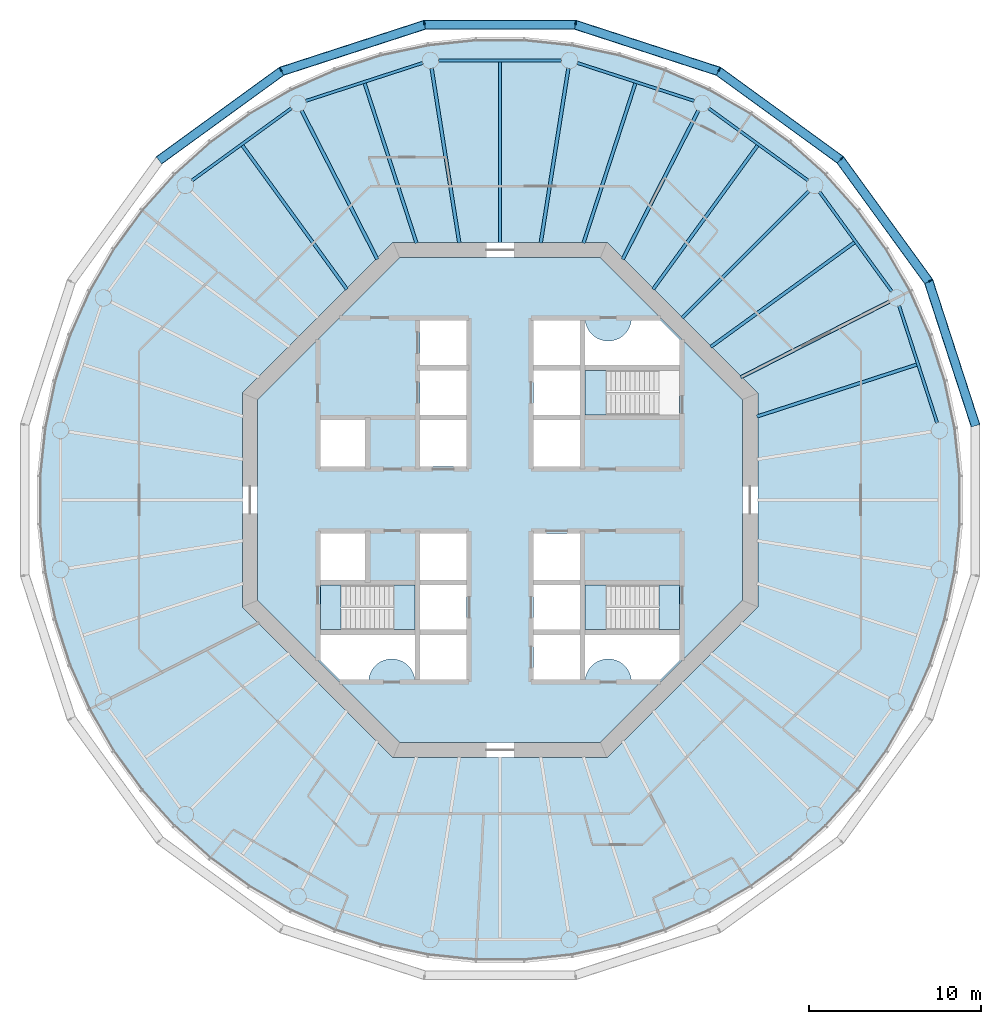
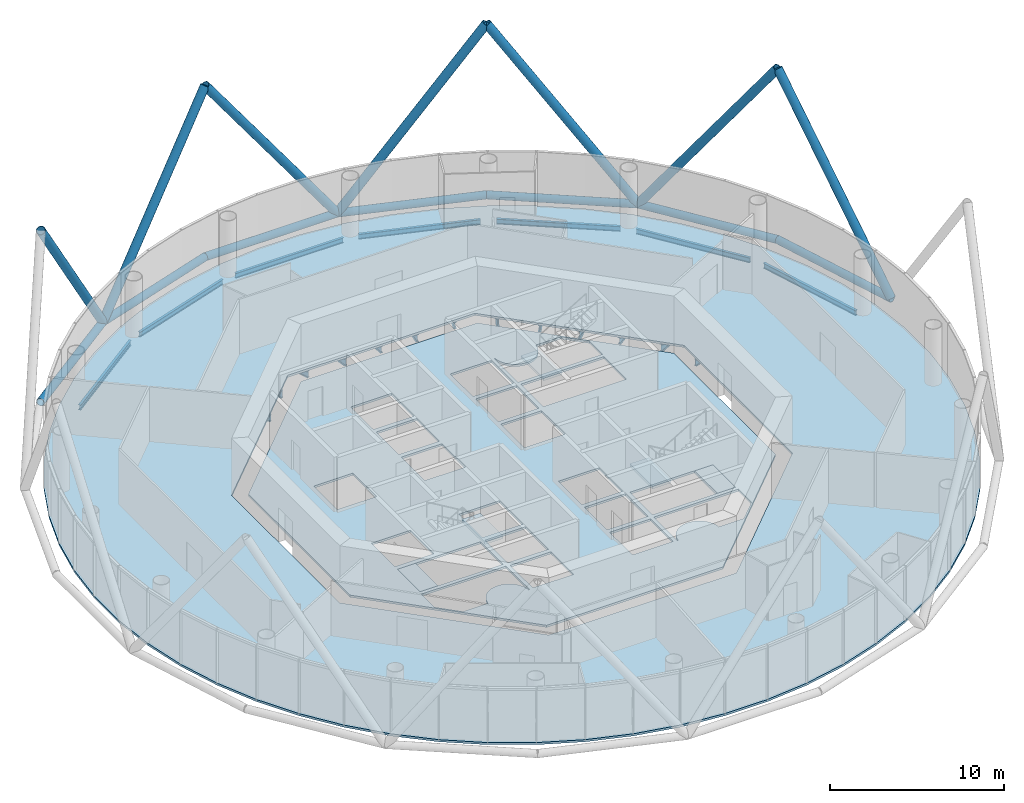
# One storey, part 2 of 13: 20 beams, 14 members, 7 slabs, 3 elements without a shape of their own.
"""IFC4 building model written with IfcOpenShell, lengths in metres."""

from ifc_helpers import new_model, si_unit, direction, frame, origin, origin_2d, place, context, subcontext, project, spatial, polyline, circle, hollow_circle, i_section, outline, extrude, material, layer, layer_set, material_profile, profile_set, type_object, element, aggregate, save


model = new_model("IFC4")

# Units and contexts
model_context = context("Model", 3, precision=1e-05, world=origin(), true_north=direction((0.0, 1.0)))
body_context = subcontext(model_context, "Body", "Model", "MODEL_VIEW")
ifc_project = project(units=[si_unit("LENGTHUNIT", "METRE"), si_unit("AREAUNIT", "SQUARE_METRE"), si_unit("VOLUMEUNIT", "CUBIC_METRE"), si_unit("PLANEANGLEUNIT", "RADIAN"), si_unit("MASSUNIT", "GRAM", prefix="KILO")], contexts=[model_context])

# Site, building, storey
site_placement = place(None, origin())
site = spatial("IfcSite", under=ifc_project, at=site_placement, CompositionType="ELEMENT")
building_placement = place(site_placement, origin())
building = spatial("IfcBuilding", under=site, at=building_placement, Name="Entoto Ring Tower", CompositionType="ELEMENT")
storey_placement = place(building_placement, frame((0.0, 0.0, 250.0)))
storey = spatial("IfcBuildingStorey", under=building, at=storey_placement, Name="L57", CompositionType="ELEMENT", Elevation=250.0)

# Members
ifc_material_1 = material(Name="Steel S355", Category="steel")
ifc_material_profile_1 = material_profile(ifc_material_1, hollow_circle(Radius=0.279541015625, WallThickness=0.028076171875, at=origin_2d()), Name="CHS 559 x 28")
ifc_material_2 = material(Name="Concrete C60/75", Category="concrete")
ifc_material_profile_2 = material_profile(ifc_material_2, circle(Radius=0.25146484375, at=origin_2d()), Name="Concrete C60/75 infill")
ifc_profile_set_1 = profile_set([ifc_material_profile_1, ifc_material_profile_2], Name="Steel S355")
member_type_1 = type_object("IfcMemberType", Name="Diagrid diagonal 559 x 28 concrete-filled tube", PredefinedType="BRACE", material=ifc_profile_set_1)
for number, where, z_axis, x_axis, name in (
    (1, (117.6552734375, 84.380126953125, 0.0), (-0.182200752594, 0.56076685453, 0.807677795049), (-0.95105823263, -0.309011711991, 0.0), "DG5A module 19 02"),
    (2, (109.799072265625, 99.799072265625, 0.0), (0.346570479178, -0.477025319356, 0.807673045022), (0.809024012567, 0.587775592458, 0.0), "DG5A module 19 03"),
    (3, (109.799072265625, 99.799072265625, 0.0), (-0.477025319356, 0.346570479178, 0.807673045022), (-0.587775592458, -0.809024012567, 0.0), "DG5A module 19 04"),
    (4, (94.380126953125, 107.6552734375, 0.0), (0.56076685453, -0.182200752594, 0.807677795049), (0.309011711991, 0.95105823263, 0.0), "DG5A module 19 05"),
    (5, (94.380126953125, 107.6552734375, 0.0), (-0.589622651769, 0.0, 0.807678852342), (0.0, -1.0, 0.0), "DG5A module 19 06"),
    (6, (77.288330078125, 104.9482421875, 0.0), (0.56076685453, 0.182200752594, 0.807677795049), (-0.309011711991, 0.95105823263, 0.0), "DG5A module 19 07"),
    (7, (77.288330078125, 104.9482421875, 0.0), (-0.477025319356, -0.346570479178, 0.807673045022), (0.587775592458, -0.809024012567, 0.0), "DG5A module 19 08"),
):
    element("IfcMember", number, at=place(storey_placement, frame(where, z_axis=z_axis, x_axis=x_axis)), inside=storey, type_object=member_type_1, Name=name, PredefinedType="BRACE", context=body_context, shape_type="SweptSolid", body=[
        extrude(hollow_circle(Radius=0.279541015625, WallThickness=0.028076171875, at=origin_2d()), origin(), (0.0, 0.0, 1.0), 14.857421875),
    ])
ifc_material_3 = material(Name="Steel S355", Category="steel")
ifc_material_profile_3 = material_profile(ifc_material_3, hollow_circle(Radius=0.25390625, WallThickness=0.030029296875, at=origin_2d()), Name="CHS 508 x 30")
ifc_material_4 = material(Name="Concrete C60/75", Category="concrete")
ifc_material_profile_4 = material_profile(ifc_material_4, circle(Radius=0.22412109375, at=origin_2d()), Name="Concrete C60/75 infill")
ifc_profile_set_2 = profile_set([ifc_material_profile_3, ifc_material_profile_4], Name="Steel S355")
member_type_2 = type_object("IfcMemberType", Name="Diagrid ring beam 508 x 30", PredefinedType="CHORD", material=ifc_profile_set_2)
for number, where, z_axis, x_axis, name in (
    (8, (117.673828125, 84.322998046875, 0.0), (-0.309002151976, 0.951061338755, 0.0), (-0.951061338755, -0.309002151976, 0.0), "DR2 ring 18 01"),
    (9, (114.983642578125, 92.6630859375, 0.0), (-0.587790766961, 0.809012987705, 0.0), (-0.809012987705, -0.587790766961, 0.0), "DR2 ring 18 02"),
    (10, (109.84765625, 99.763671875, 0.0), (-0.809012987705, 0.587790766961, 0.0), (-0.587790766961, -0.809012987705, 0.0), "DR2 ring 18 03"),
    (11, (102.76904296875, 104.9296875, 0.0), (-0.951061338755, 0.309002151976, 0.0), (-0.309002151976, -0.951061338755, 0.0), "DR2 ring 18 04"),
):
    element("IfcMember", number, at=place(storey_placement, frame(where, z_axis=z_axis, x_axis=x_axis)), inside=storey, type_object=member_type_2, Name=name, PredefinedType="CHORD", context=body_context, shape_type="SweptSolid", body=[
        extrude(hollow_circle(Radius=0.25390625, WallThickness=0.030029296875, at=origin_2d()), origin(), (0.0, 0.0, 1.0), 8.880615234375),
    ])
member_placement = place(storey_placement, frame((94.4404296875, 107.6552734375, 0.0), z_axis=(-1.0, 0.0, 0.0), x_axis=(0.0, -1.0, 0.0)))
element("IfcMember", 12, at=member_placement, inside=storey, type_object=member_type_2, Name="DR2 ring 18 05", PredefinedType="CHORD", context=body_context, shape_type="SweptSolid", body=[
    extrude(hollow_circle(Radius=0.25390625, WallThickness=0.030029296875, at=origin_2d()), origin(), (0.0, 0.0, 1.0), 8.880859375),
])
for number, where, z_axis, x_axis, name in (
    (13, (85.677001953125, 107.673828125, 0.0), (-0.951061338755, -0.309002151976, 0.0), (0.309002151976, -0.951061338755, 0.0), "DR2 ring 18 06"),
    (14, (77.3369140625, 104.983642578125, 0.0), (-0.809012987705, -0.587790766961, 0.0), (0.587790766961, -0.809012987705, 0.0), "DR2 ring 18 07"),
):
    element("IfcMember", number, at=place(storey_placement, frame(where, z_axis=z_axis, x_axis=x_axis)), inside=storey, type_object=member_type_2, Name=name, PredefinedType="CHORD", context=body_context, shape_type="SweptSolid", body=[
        extrude(hollow_circle(Radius=0.25390625, WallThickness=0.030029296875, at=origin_2d()), origin(), (0.0, 0.0, 1.0), 8.880615234375),
    ])

# Beams
ifc_material_5 = material(Name="Steel S355", Category="steel")
ifc_material_profile_5 = material_profile(ifc_material_5, i_section(OverallWidth=0.169921875, OverallDepth=0.360107421875, WebThickness=0.008056640625, FlangeThickness=0.0126953125, FilletRadius=0.01806640625, at=origin_2d()), Name="IPE 360")
ifc_profile_set_3 = profile_set([ifc_material_profile_5], Name="Steel S355")
beam_type_1 = type_object("IfcBeamType", Name="Edge beam IPE 360", PredefinedType="SPANDREL", material=ifc_profile_set_3)
beam_1_placement = place(storey_placement, frame((115.43505859375, 84.501220703125, -0.330078125), z_axis=(-0.309015118354, 0.951057125849, 0.0), x_axis=(-0.951057125849, -0.309015118354, 0.0)))
element("IfcBeam", 15, at=beam_1_placement, inside=storey, type_object=beam_type_1, Name="Edge beam L57 01", PredefinedType="SPANDREL", context=body_context, shape_type="SweptSolid", body=[
    extrude(i_section(OverallWidth=0.169921875, OverallDepth=0.360107421875, WebThickness=0.008056640625, FlangeThickness=0.0126953125, FilletRadius=0.01806640625, at=origin_2d()), origin(), (0.0, 0.0, 1.0), 7.157958984375),
])
for number, where, z_axis, x_axis, name in (
    (16, (112.79931640625, 92.140625, -0.330078125), (-0.587794432314, 0.809010324619, 0.0), (-0.809010324619, -0.587794432314, 0.0), "Edge beam L57 02"),
    (17, (107.931640625, 98.591796875, -0.330078125), (-0.809010324619, 0.587794432314, 0.0), (-0.587794432314, -0.809010324619, 0.0), "Edge beam L57 03"),
):
    element("IfcBeam", number, at=place(storey_placement, frame(where, z_axis=z_axis, x_axis=x_axis)), inside=storey, type_object=beam_type_1, Name=name, PredefinedType="SPANDREL", context=body_context, shape_type="SweptSolid", body=[
        extrude(i_section(OverallWidth=0.169921875, OverallDepth=0.360107421875, WebThickness=0.008056640625, FlangeThickness=0.0126953125, FilletRadius=0.01806640625, at=origin_2d()), origin(), (0.0, 0.0, 1.0), 7.158203125),
    ])
beam_2_placement = place(storey_placement, frame((101.308837890625, 103.22314453125, -0.330078125), z_axis=(-0.951057125849, 0.309015118354, 0.0), x_axis=(-0.309015118354, -0.951057125849, 0.0)))
element("IfcBeam", 18, at=beam_2_placement, inside=storey, type_object=beam_type_1, Name="Edge beam L57 04", PredefinedType="SPANDREL", context=body_context, shape_type="SweptSolid", body=[
    extrude(i_section(OverallWidth=0.169921875, OverallDepth=0.360107421875, WebThickness=0.008056640625, FlangeThickness=0.0126953125, FilletRadius=0.01806640625, at=origin_2d()), origin(), (0.0, 0.0, 1.0), 7.157958984375),
])
beam_3_placement = place(storey_placement, frame((93.5791015625, 105.5810546875, -0.330078125), z_axis=(-1.0, 0.0, 0.0), x_axis=(0.0, -1.0, 0.0)))
element("IfcBeam", 19, at=beam_3_placement, inside=storey, type_object=beam_type_1, Name="Edge beam L57 05", PredefinedType="SPANDREL", context=body_context, shape_type="SweptSolid", body=[
    extrude(i_section(OverallWidth=0.169921875, OverallDepth=0.360107421875, WebThickness=0.008056640625, FlangeThickness=0.0126953125, FilletRadius=0.01806640625, at=origin_2d()), origin(), (0.0, 0.0, 1.0), 7.158203125),
])
beam_4_placement = place(storey_placement, frame((85.498779296875, 105.43505859375, -0.330078125), z_axis=(-0.951057125849, -0.309015118354, 0.0), x_axis=(0.309015118354, -0.951057125849, 0.0)))
element("IfcBeam", 20, at=beam_4_placement, inside=storey, type_object=beam_type_1, Name="Edge beam L57 06", PredefinedType="SPANDREL", context=body_context, shape_type="SweptSolid", body=[
    extrude(i_section(OverallWidth=0.169921875, OverallDepth=0.360107421875, WebThickness=0.008056640625, FlangeThickness=0.0126953125, FilletRadius=0.01806640625, at=origin_2d()), origin(), (0.0, 0.0, 1.0), 7.157958984375),
])
beam_5_placement = place(storey_placement, frame((77.859375, 102.79931640625, -0.330078125), z_axis=(-0.809010324619, -0.587794432314, 0.0), x_axis=(0.587794432314, -0.809010324619, 0.0)))
element("IfcBeam", 21, at=beam_5_placement, inside=storey, type_object=beam_type_1, Name="Edge beam L57 07", PredefinedType="SPANDREL", context=body_context, shape_type="SweptSolid", body=[
    extrude(i_section(OverallWidth=0.169921875, OverallDepth=0.360107421875, WebThickness=0.008056640625, FlangeThickness=0.0126953125, FilletRadius=0.01806640625, at=origin_2d()), origin(), (0.0, 0.0, 1.0), 7.158203125),
])
ifc_material_6 = material(Name="Steel S355", Category="steel")
ifc_material_profile_6 = material_profile(ifc_material_6, i_section(OverallWidth=0.199951171875, OverallDepth=0.5, WebThickness=0.01025390625, FlangeThickness=0.01611328125, FilletRadius=0.02099609375, at=origin_2d()), Name="IPE 500")
ifc_profile_set_4 = profile_set([ifc_material_profile_6], Name="Steel S355")
beam_type_2 = type_object("IfcBeamType", Name="Primary floor beam IPE 500", PredefinedType="BEAM", material=ifc_profile_set_4)
beam_6_placement = place(storey_placement, frame((104.006103515625, 87.136474609375, -0.39990234375), z_axis=(0.891012442297, 0.45397888461, 0.0), x_axis=(-0.45397888461, 0.891012442297, 0.0)))
element("IfcBeam", 22, at=beam_6_placement, inside=storey, type_object=beam_type_2, Name="Primary L57 R02", PredefinedType="BEAM", context=body_context, shape_type="SweptSolid", body=[
    extrude(i_section(OverallWidth=0.199951171875, OverallDepth=0.5, WebThickness=0.01025390625, FlangeThickness=0.01611328125, FilletRadius=0.02099609375, at=origin_2d()), origin(), (0.0, 0.0, 1.0), 9.710693359375),
])
beam_7_placement = place(storey_placement, frame((100.592529296875, 90.592529296875, -0.39990234375), z_axis=(0.707106781187, 0.707106781187, 0.0), x_axis=(-0.707106781187, 0.707106781187, 0.0)))
element("IfcBeam", 23, at=beam_7_placement, inside=storey, type_object=beam_type_2, Name="Primary L57 R03", PredefinedType="BEAM", context=body_context, shape_type="SweptSolid", body=[
    extrude(i_section(OverallWidth=0.199951171875, OverallDepth=0.5, WebThickness=0.01025390625, FlangeThickness=0.01611328125, FilletRadius=0.02099609375, at=origin_2d()), origin(), (0.0, 0.0, 1.0), 10.4501953125),
])
beam_8_placement = place(storey_placement, frame((97.136474609375, 94.006103515625, -0.39990234375), z_axis=(0.45397888461, 0.891012442297, 0.0), x_axis=(-0.891012442297, 0.45397888461, 0.0)))
element("IfcBeam", 24, at=beam_8_placement, inside=storey, type_object=beam_type_2, Name="Primary L57 R04", PredefinedType="BEAM", context=body_context, shape_type="SweptSolid", body=[
    extrude(i_section(OverallWidth=0.199951171875, OverallDepth=0.5, WebThickness=0.01025390625, FlangeThickness=0.01611328125, FilletRadius=0.02099609375, at=origin_2d()), origin(), (0.0, 0.0, 1.0), 9.710693359375),
])
for number, where, z_axis, x_axis, name in (
    (25, (92.3701171875, 94.964599609375, -0.39990234375), (0.156451644281, 0.987685619518, 0.0), (-0.987685619518, 0.156451644281, 0.0), "Primary L57 R05"),
    (26, (87.6298828125, 94.964599609375, -0.39990234375), (-0.156451644281, 0.987685619518, 0.0), (-0.987685619518, -0.156451644281, 0.0), "Primary L57 R06"),
):
    element("IfcBeam", number, at=place(storey_placement, frame(where, z_axis=z_axis, x_axis=x_axis)), inside=storey, type_object=beam_type_2, Name=name, PredefinedType="BEAM", context=body_context, shape_type="SweptSolid", body=[
        extrude(i_section(OverallWidth=0.199951171875, OverallDepth=0.5, WebThickness=0.01025390625, FlangeThickness=0.01611328125, FilletRadius=0.02099609375, at=origin_2d()), origin(), (0.0, 0.0, 1.0), 10.27880859375),
    ])
beam_9_placement = place(storey_placement, frame((82.863525390625, 94.006103515625, -0.39990234375), z_axis=(-0.45397888461, 0.891012442297, 0.0), x_axis=(-0.891012442297, -0.45397888461, 0.0)))
element("IfcBeam", 27, at=beam_9_placement, inside=storey, type_object=beam_type_2, Name="Primary L57 R07", PredefinedType="BEAM", context=body_context, shape_type="SweptSolid", body=[
    extrude(i_section(OverallWidth=0.199951171875, OverallDepth=0.5, WebThickness=0.01025390625, FlangeThickness=0.01611328125, FilletRadius=0.02099609375, at=origin_2d()), origin(), (0.0, 0.0, 1.0), 9.710693359375),
])
ifc_material_7 = material(Name="Steel S355", Category="steel")
ifc_material_profile_7 = material_profile(ifc_material_7, i_section(OverallWidth=0.18994140625, OverallDepth=0.449951171875, WebThickness=0.009521484375, FlangeThickness=0.0146484375, FilletRadius=0.02099609375, at=origin_2d()), Name="IPE 450")
ifc_profile_set_5 = profile_set([ifc_material_profile_7], Name="Steel S355")
beam_type_3 = type_object("IfcBeamType", Name="Secondary floor beam IPE 450", PredefinedType="JOIST", material=ifc_profile_set_5)
beam_10_placement = place(storey_placement, frame((104.95166015625, 84.858154296875, -0.375), z_axis=(0.951061045963, 0.309003053144, 0.0), x_axis=(-0.309003053144, 0.951061045963, 0.0)))
element("IfcBeam", 28, at=beam_10_placement, inside=storey, type_object=beam_type_3, Name="Secondary beam L57 01", PredefinedType="JOIST", context=body_context, shape_type="SweptSolid", body=[
    extrude(i_section(OverallWidth=0.18994140625, OverallDepth=0.449951171875, WebThickness=0.009521484375, FlangeThickness=0.0146484375, FilletRadius=0.02099609375, at=origin_2d()), origin(), (0.0, 0.0, 1.0), 9.77490234375),
])
for number, where, z_axis, x_axis, name in (
    (29, (102.258056640625, 88.906005859375, -0.375), (0.809010538485, 0.58779413796, 0.0), (-0.58779413796, 0.809010538485, 0.0), "Secondary beam L57 02"),
    (30, (98.906005859375, 92.258056640625, -0.375), (0.58779413796, 0.809010538485, 0.0), (-0.809010538485, 0.58779413796, 0.0), "Secondary beam L57 03"),
):
    element("IfcBeam", number, at=place(storey_placement, frame(where, z_axis=z_axis, x_axis=x_axis)), inside=storey, type_object=beam_type_3, Name=name, PredefinedType="JOIST", context=body_context, shape_type="SweptSolid", body=[
        extrude(i_section(OverallWidth=0.18994140625, OverallDepth=0.449951171875, WebThickness=0.009521484375, FlangeThickness=0.0146484375, FilletRadius=0.02099609375, at=origin_2d()), origin(), (0.0, 0.0, 1.0), 10.34423828125),
    ])
beam_11_placement = place(storey_placement, frame((94.858154296875, 94.95166015625, -0.375), z_axis=(0.309003053144, 0.951061045963, 0.0), x_axis=(-0.951061045963, 0.309003053144, 0.0)))
element("IfcBeam", 31, at=beam_11_placement, inside=storey, type_object=beam_type_3, Name="Secondary beam L57 04", PredefinedType="JOIST", context=body_context, shape_type="SweptSolid", body=[
    extrude(i_section(OverallWidth=0.18994140625, OverallDepth=0.449951171875, WebThickness=0.009521484375, FlangeThickness=0.0146484375, FilletRadius=0.02099609375, at=origin_2d()), origin(), (0.0, 0.0, 1.0), 9.77490234375),
])
beam_12_placement = place(storey_placement, frame((90.0, 94.97998046875, -0.375), z_axis=(0.0, 1.0, 0.0), x_axis=(-1.0, 0.0, 0.0)))
element("IfcBeam", 32, at=beam_12_placement, inside=storey, type_object=beam_type_3, Name="Secondary beam L57 05", PredefinedType="JOIST", context=body_context, shape_type="SweptSolid", body=[
    extrude(i_section(OverallWidth=0.18994140625, OverallDepth=0.449951171875, WebThickness=0.009521484375, FlangeThickness=0.0146484375, FilletRadius=0.02099609375, at=origin_2d()), origin(), (0.0, 0.0, 1.0), 10.51611328125),
])
beam_13_placement = place(storey_placement, frame((85.141845703125, 94.95166015625, -0.375), z_axis=(-0.309003053144, 0.951061045963, 0.0), x_axis=(-0.951061045963, -0.309003053144, 0.0)))
element("IfcBeam", 33, at=beam_13_placement, inside=storey, type_object=beam_type_3, Name="Secondary beam L57 06", PredefinedType="JOIST", context=body_context, shape_type="SweptSolid", body=[
    extrude(i_section(OverallWidth=0.18994140625, OverallDepth=0.449951171875, WebThickness=0.009521484375, FlangeThickness=0.0146484375, FilletRadius=0.02099609375, at=origin_2d()), origin(), (0.0, 0.0, 1.0), 9.77490234375),
])
beam_14_placement = place(storey_placement, frame((81.093994140625, 92.258056640625, -0.375), z_axis=(-0.58779413796, 0.809010538485, 0.0), x_axis=(-0.809010538485, -0.58779413796, 0.0)))
element("IfcBeam", 34, at=beam_14_placement, inside=storey, type_object=beam_type_3, Name="Secondary beam L57 07", PredefinedType="JOIST", context=body_context, shape_type="SweptSolid", body=[
    extrude(i_section(OverallWidth=0.18994140625, OverallDepth=0.449951171875, WebThickness=0.009521484375, FlangeThickness=0.0146484375, FilletRadius=0.02099609375, at=origin_2d()), origin(), (0.0, 0.0, 1.0), 10.34423828125),
])

# Slabs
ifc_material_8 = material(Name="Concrete C30/37", Category="concrete")
ifc_layer_1 = layer(ifc_material_8, 0.14990234375)
ifc_layer_set_1 = layer_set([ifc_layer_1], Name="Concrete C30/37")
slab_type_1 = type_object("IfcSlabType", Name="Composite floor slab 150 mm", PredefinedType="FLOOR", material=ifc_layer_set_1)
slab_1_placement = place(storey_placement, frame((0.0, 0.0, -0.14990234375)))
element("IfcSlab", 35, at=slab_1_placement, inside=storey, type_object=slab_type_1, Name="Floor slab L57", PredefinedType="FLOOR", context=body_context, shape_type="SweptSolid", body=[
    extrude(outline(polyline([(116.56884765625, 84.2080078125), (115.9833984375, 86.962158203125), (115.11328125, 89.64013671875), (113.968017578125, 92.21240234375), (112.560302734375, 94.65087890625), (110.9052734375, 96.9287109375), (109.021240234375, 99.021240234375), (106.9287109375, 100.9052734375), (104.65087890625, 102.560302734375), (102.21240234375, 103.968017578125), (99.64013671875, 105.11328125), (96.962158203125, 105.9833984375), (94.2080078125, 106.56884765625), (91.407958984375, 106.863037109375), (88.592041015625, 106.863037109375), (85.7919921875, 106.56884765625), (83.037841796875, 105.9833984375), (80.35986328125, 105.11328125), (77.78759765625, 103.968017578125), (75.34912109375, 102.560302734375), (73.0712890625, 100.9052734375), (70.978759765625, 99.021240234375), (69.0947265625, 96.9287109375), (67.439697265625, 94.65087890625), (66.031982421875, 92.21240234375), (64.88671875, 89.64013671875), (64.0166015625, 86.962158203125), (63.43115234375, 84.2080078125), (63.136962890625, 81.407958984375), (63.136962890625, 78.592041015625), (63.43115234375, 75.7919921875), (64.0166015625, 73.037841796875), (64.88671875, 70.35986328125), (66.031982421875, 67.78759765625), (67.439697265625, 65.34912109375), (69.0947265625, 63.0712890625), (70.978759765625, 60.978759765625), (73.0712890625, 59.0947265625), (75.34912109375, 57.439697265625), (77.78759765625, 56.031982421875), (80.35986328125, 54.88671875), (83.037841796875, 54.0166015625), (85.7919921875, 53.43115234375), (88.592041015625, 53.136962890625), (91.407958984375, 53.136962890625), (94.2080078125, 53.43115234375), (96.962158203125, 54.0166015625), (99.64013671875, 54.88671875), (102.21240234375, 56.031982421875), (104.65087890625, 57.439697265625), (106.9287109375, 59.0947265625), (109.021240234375, 60.978759765625), (110.9052734375, 63.0712890625), (112.560302734375, 65.34912109375), (113.968017578125, 67.78759765625), (115.11328125, 70.35986328125), (115.9833984375, 73.037841796875), (116.56884765625, 75.7919921875), (116.863037109375, 78.592041015625), (116.863037109375, 81.407958984375), (116.56884765625, 84.2080078125)]), holes=[polyline([(105.0, 73.786865234375), (105.0, 86.213134765625), (96.213134765625, 95.0), (83.786865234375, 95.0), (75.0, 86.213134765625), (75.0, 73.786865234375), (83.786865234375, 65.0), (96.213134765625, 65.0), (105.0, 73.786865234375)])]), origin(), (0.0, 0.0, 1.0), 0.14990234375),
])
ifc_material_9 = material(Name="Concrete C40/50", Category="concrete")
ifc_layer_2 = layer(ifc_material_9, 0.14990234375)
ifc_layer_set_2 = layer_set([ifc_layer_2], Name="Concrete C40/50")
slab_type_2 = type_object("IfcSlabType", Name="Core floor slab 150 mm reinforced concrete C40/50", PredefinedType="FLOOR", material=ifc_layer_set_2)
slab_2_placement = place(storey_placement, frame((0.0, 0.0, -0.14990234375)))
element("IfcSlab", 36, at=slab_2_placement, inside=storey, type_object=slab_type_2, Name="Core floor L57", PredefinedType="FLOOR", context=body_context, shape_type="SweptSolid", body=[
    extrude(outline(polyline([(104.10009765625, 74.15966796875), (104.10009765625, 85.84033203125), (95.84033203125, 94.10009765625), (84.15966796875, 94.10009765625), (75.89990234375, 85.84033203125), (75.89990234375, 74.15966796875), (84.15966796875, 65.89990234375), (95.84033203125, 65.89990234375), (104.10009765625, 74.15966796875)]), holes=[polyline([(100.449951171875, 84.949951171875), (100.449951171875, 87.550048828125), (94.949951171875, 87.550048828125), (94.949951171875, 84.949951171875), (100.449951171875, 84.949951171875)]), polyline([(85.050048828125, 72.449951171875), (85.050048828125, 75.050048828125), (79.550048828125, 75.050048828125), (79.550048828125, 72.449951171875), (85.050048828125, 72.449951171875)]), polyline([(100.449951171875, 72.449951171875), (100.449951171875, 75.050048828125), (94.949951171875, 75.050048828125), (94.949951171875, 72.449951171875), (100.449951171875, 72.449951171875)]), polyline([(91.949951171875, 84.949951171875), (94.64990234375, 84.949951171875), (94.64990234375, 87.550048828125), (91.949951171875, 87.550048828125), (91.949951171875, 84.949951171875)]), polyline([(91.949951171875, 72.449951171875), (94.64990234375, 72.449951171875), (94.64990234375, 75.050048828125), (91.949951171875, 75.050048828125), (91.949951171875, 72.449951171875)]), polyline([(91.949951171875, 69.550048828125), (94.64990234375, 69.550048828125), (94.64990234375, 72.14990234375), (91.949951171875, 72.14990234375), (91.949951171875, 69.550048828125)]), polyline([(85.35009765625, 72.449951171875), (88.050048828125, 72.449951171875), (88.050048828125, 75.050048828125), (85.35009765625, 75.050048828125), (85.35009765625, 72.449951171875)]), polyline([(85.35009765625, 81.949951171875), (88.050048828125, 81.949951171875), (88.050048828125, 84.64990234375), (85.35009765625, 84.64990234375), (85.35009765625, 81.949951171875)]), polyline([(91.949951171875, 75.35009765625), (94.64990234375, 75.35009765625), (94.64990234375, 78.050048828125), (91.949951171875, 78.050048828125), (91.949951171875, 75.35009765625)]), polyline([(79.550048828125, 81.949951171875), (82.14990234375, 81.949951171875), (82.14990234375, 84.64990234375), (79.550048828125, 84.64990234375), (79.550048828125, 81.949951171875)]), polyline([(79.550048828125, 75.35009765625), (82.14990234375, 75.35009765625), (82.14990234375, 78.050048828125), (79.550048828125, 78.050048828125), (79.550048828125, 75.35009765625)]), polyline([(91.949951171875, 87.85009765625), (94.64990234375, 87.85009765625), (94.64990234375, 90.449951171875), (91.949951171875, 90.449951171875), (91.949951171875, 87.85009765625)]), polyline([(85.35009765625, 69.550048828125), (88.050048828125, 69.550048828125), (88.050048828125, 72.14990234375), (85.35009765625, 72.14990234375), (85.35009765625, 69.550048828125)]), polyline([(91.949951171875, 81.949951171875), (94.64990234375, 81.949951171875), (94.64990234375, 84.64990234375), (91.949951171875, 84.64990234375), (91.949951171875, 81.949951171875)]), polyline([(85.35009765625, 75.35009765625), (88.050048828125, 75.35009765625), (88.050048828125, 78.050048828125), (85.35009765625, 78.050048828125), (85.35009765625, 75.35009765625)]), polyline([(85.35009765625, 84.949951171875), (88.050048828125, 84.949951171875), (88.050048828125, 87.550048828125), (85.35009765625, 87.550048828125), (85.35009765625, 84.949951171875)]), polyline([(85.35009765625, 87.85009765625), (88.050048828125, 87.85009765625), (88.050048828125, 90.449951171875), (85.35009765625, 90.449951171875), (85.35009765625, 87.85009765625)]), polyline([(94.89990234375, 90.5), (94.89990234375, 87.800048828125), (100.5, 87.800048828125), (100.5, 89.299072265625), (99.299072265625, 90.5), (97.64501953125, 90.5), (97.6435546875, 90.4677734375), (97.6240234375, 90.336669921875), (97.591796875, 90.2080078125), (97.547119140625, 90.08349609375), (97.490478515625, 89.963623046875), (97.422607421875, 89.85009765625), (97.343505859375, 89.74365234375), (97.254638671875, 89.6455078125), (97.156494140625, 89.556396484375), (97.050048828125, 89.4775390625), (96.936279296875, 89.409423828125), (96.816650390625, 89.352783203125), (96.69189453125, 89.30810546875), (96.5634765625, 89.27587890625), (96.432373046875, 89.256591796875), (96.300048828125, 89.25), (96.167724609375, 89.256591796875), (96.03662109375, 89.27587890625), (95.908203125, 89.30810546875), (95.783447265625, 89.352783203125), (95.66357421875, 89.409423828125), (95.550048828125, 89.4775390625), (95.443603515625, 89.556396484375), (95.345458984375, 89.6455078125), (95.25634765625, 89.74365234375), (95.177490234375, 89.85009765625), (95.109375, 89.963623046875), (95.052734375, 90.08349609375), (95.008056640625, 90.2080078125), (94.975830078125, 90.336669921875), (94.95654296875, 90.4677734375), (94.954833984375, 90.5), (94.89990234375, 90.5)]), polyline([(79.5, 70.700927734375), (80.700927734375, 69.5), (82.35498046875, 69.5), (82.3564453125, 69.5322265625), (82.3759765625, 69.663330078125), (82.408203125, 69.7919921875), (82.452880859375, 69.91650390625), (82.509521484375, 70.036376953125), (82.577392578125, 70.14990234375), (82.656494140625, 70.25634765625), (82.745361328125, 70.3544921875), (82.843505859375, 70.443603515625), (82.949951171875, 70.5224609375), (83.063720703125, 70.590576171875), (83.183349609375, 70.647216796875), (83.30810546875, 70.69189453125), (83.4365234375, 70.72412109375), (83.567626953125, 70.743408203125), (83.699951171875, 70.75), (83.832275390625, 70.743408203125), (83.96337890625, 70.72412109375), (84.091796875, 70.69189453125), (84.216552734375, 70.647216796875), (84.33642578125, 70.590576171875), (84.449951171875, 70.5224609375), (84.556396484375, 70.443603515625), (84.654541015625, 70.3544921875), (84.74365234375, 70.25634765625), (84.822509765625, 70.14990234375), (84.890625, 70.036376953125), (84.947265625, 69.91650390625), (84.991943359375, 69.7919921875), (85.024169921875, 69.663330078125), (85.04345703125, 69.5322265625), (85.045166015625, 69.5), (85.10009765625, 69.5), (85.10009765625, 72.199951171875), (79.5, 72.199951171875), (79.5, 70.700927734375)]), polyline([(97.64501953125, 69.5), (99.299072265625, 69.5), (100.5, 70.700927734375), (100.5, 72.199951171875), (94.89990234375, 72.199951171875), (94.89990234375, 69.5), (94.954833984375, 69.5), (94.95654296875, 69.5322265625), (94.975830078125, 69.663330078125), (95.008056640625, 69.7919921875), (95.052734375, 69.91650390625), (95.109375, 70.036376953125), (95.177490234375, 70.14990234375), (95.25634765625, 70.25634765625), (95.345458984375, 70.3544921875), (95.443603515625, 70.443603515625), (95.550048828125, 70.5224609375), (95.66357421875, 70.590576171875), (95.783447265625, 70.647216796875), (95.908203125, 70.69189453125), (96.03662109375, 70.72412109375), (96.167724609375, 70.743408203125), (96.300048828125, 70.75), (96.432373046875, 70.743408203125), (96.5634765625, 70.72412109375), (96.69189453125, 70.69189453125), (96.816650390625, 70.647216796875), (96.936279296875, 70.590576171875), (97.050048828125, 70.5224609375), (97.156494140625, 70.443603515625), (97.254638671875, 70.3544921875), (97.343505859375, 70.25634765625), (97.422607421875, 70.14990234375), (97.490478515625, 70.036376953125), (97.547119140625, 69.91650390625), (97.591796875, 69.7919921875), (97.6240234375, 69.663330078125), (97.6435546875, 69.5322265625), (97.64501953125, 69.5)])]), origin(), (0.0, 0.0, 1.0), 0.14990234375),
])

# Stair, slab
ifc_material_10 = material(Name="Concrete C40/50", Category="concrete")
stair_type = type_object("IfcStairType", Name="Exit stair 1200 mm dog-leg reinforced concrete", PredefinedType="HALF_TURN_STAIR", material=ifc_material_10)
stair_1_placement = place(storey_placement, origin())
stair_1 = element("IfcStair", 37, at=stair_1_placement, inside=storey, type_object=stair_type, Name="Exit stair 1", PredefinedType="HALF_TURN_STAIR")
ifc_material_11 = material(Name="Concrete C40/50", Category="concrete")
ifc_layer_3 = layer(ifc_material_11, 0.199951171875)
ifc_layer_set_3 = layer_set([ifc_layer_3], Name="Concrete C40/50")
slab_type_3 = type_object("IfcSlabType", Name="Stair landing 200 mm reinforced concrete", PredefinedType="LANDING", material=ifc_layer_set_3)
slab_3_placement = place(storey_placement, frame((0.0, 0.0, 1.800048828125)))
slab_3 = element("IfcSlab", 38, at=slab_3_placement, type_object=slab_type_3, Name="ST1 landing 2", PredefinedType="LANDING", context=body_context, shape_type="SweptSolid", body=[
    extrude(outline(polyline([(94.949951171875, 84.949951171875), (96.169921875, 84.949951171875), (96.169921875, 87.550048828125), (94.949951171875, 87.550048828125), (94.949951171875, 84.949951171875)])), origin(), (0.0, 0.0, 1.0), 0.199951171875),
])
aggregate(stair_1, [slab_3])

# Stair, slabs
stair_2_placement = place(storey_placement, origin())
stair_2 = element("IfcStair", 39, at=stair_2_placement, inside=storey, type_object=stair_type, Name="Exit stair 2", PredefinedType="HALF_TURN_STAIR")
slab_4_placement = place(storey_placement, frame((0.0, 0.0, -0.199951171875)))
slab_4 = element("IfcSlab", 40, at=slab_4_placement, type_object=slab_type_3, Name="ST2 landing 1", PredefinedType="LANDING", context=body_context, shape_type="SweptSolid", body=[
    extrude(outline(polyline([(80.75, 72.449951171875), (80.75, 75.050048828125), (79.550048828125, 75.050048828125), (79.550048828125, 72.449951171875), (80.75, 72.449951171875)])), origin(), (0.0, 0.0, 1.0), 0.199951171875),
])
slab_5_placement = place(storey_placement, frame((0.0, 0.0, 1.800048828125)))
slab_5 = element("IfcSlab", 41, at=slab_5_placement, type_object=slab_type_3, Name="ST2 landing 2", PredefinedType="LANDING", context=body_context, shape_type="SweptSolid", body=[
    extrude(outline(polyline([(83.830078125, 72.449951171875), (85.050048828125, 72.449951171875), (85.050048828125, 75.050048828125), (83.830078125, 75.050048828125), (83.830078125, 72.449951171875)])), origin(), (0.0, 0.0, 1.0), 0.199951171875),
])
aggregate(stair_2, [slab_4, slab_5])

stair_3_placement = place(storey_placement, origin())
stair_3 = element("IfcStair", 42, at=stair_3_placement, inside=storey, type_object=stair_type, Name="Exit stair 3", PredefinedType="HALF_TURN_STAIR")
slab_6_placement = place(storey_placement, frame((0.0, 0.0, -0.199951171875)))
slab_6 = element("IfcSlab", 43, at=slab_6_placement, type_object=slab_type_3, Name="ST3 landing 1", PredefinedType="LANDING", context=body_context, shape_type="SweptSolid", body=[
    extrude(outline(polyline([(100.449951171875, 72.449951171875), (100.449951171875, 75.050048828125), (99.25, 75.050048828125), (99.25, 72.449951171875), (100.449951171875, 72.449951171875)])), origin(), (0.0, 0.0, 1.0), 0.199951171875),
])
slab_7_placement = place(storey_placement, frame((0.0, 0.0, 1.800048828125)))
slab_7 = element("IfcSlab", 44, at=slab_7_placement, type_object=slab_type_3, Name="ST3 landing 2", PredefinedType="LANDING", context=body_context, shape_type="SweptSolid", body=[
    extrude(outline(polyline([(94.949951171875, 72.449951171875), (96.169921875, 72.449951171875), (96.169921875, 75.050048828125), (94.949951171875, 75.050048828125), (94.949951171875, 72.449951171875)])), origin(), (0.0, 0.0, 1.0), 0.199951171875),
])
aggregate(stair_3, [slab_6, slab_7])

save(model, "model.ifc")
